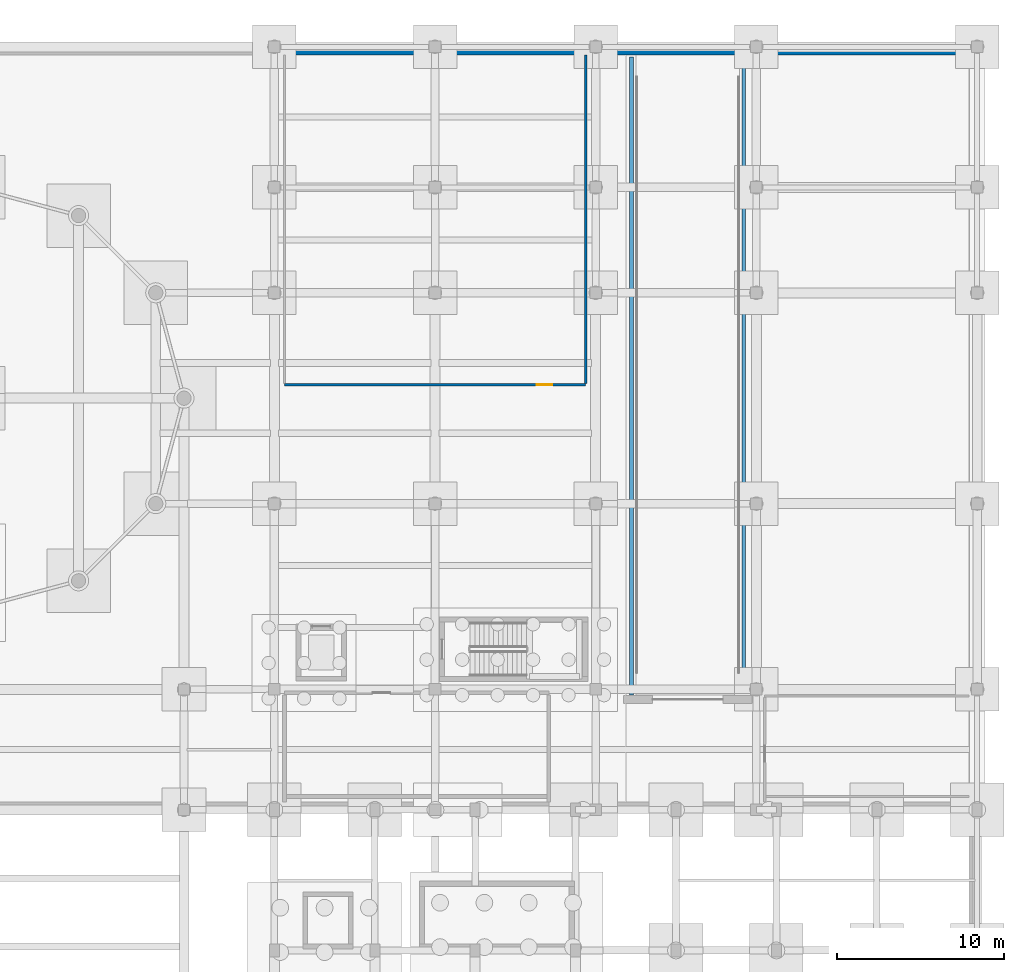
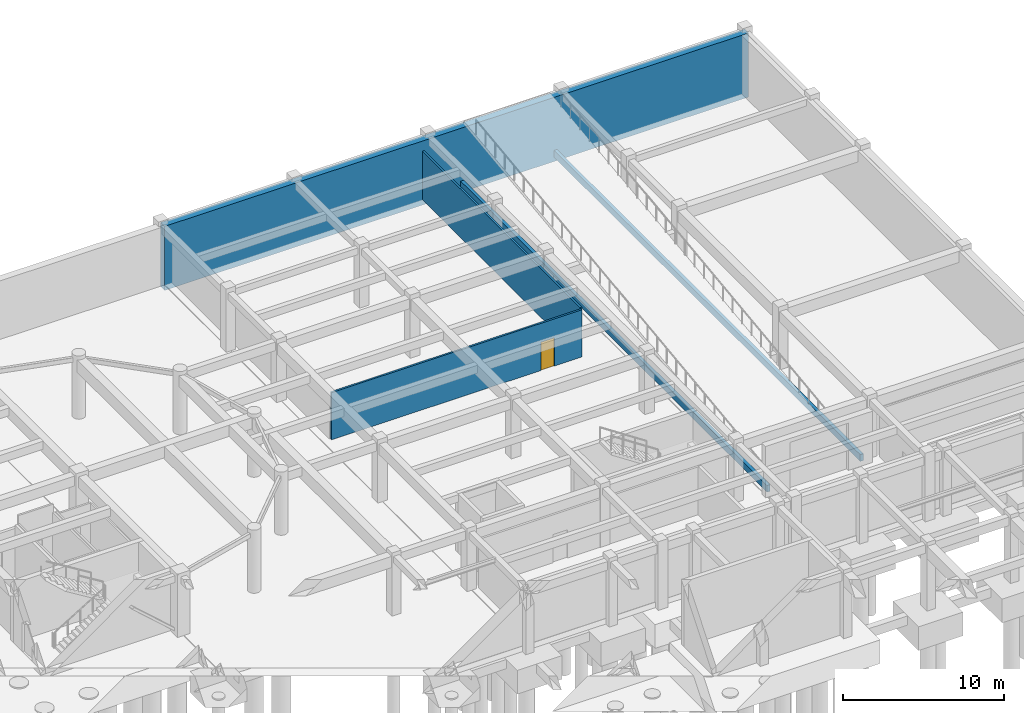
# One storey, part 28 of 37: 5 walls, 1 door, 1 opening.
"""IFC4 building model written with IfcOpenShell, lengths in metres."""

from ifc_helpers import new_model, si_unit, direction, frame, frame_2d, origin, place, context, subcontext, project, spatial, rectangle, extrude, material, layer, layer_set, type_object, element, fill, save


model = new_model("IFC4")

# Units and contexts
model_context = context("Model", 3, precision=1e-05, world=origin(), true_north=direction((0.0, 1.0)))
body_context = subcontext(model_context, "Body", "Model", "MODEL_VIEW")
ifc_project = project(units=[si_unit("LENGTHUNIT", "METRE"), si_unit("AREAUNIT", "SQUARE_METRE"), si_unit("VOLUMEUNIT", "CUBIC_METRE"), si_unit("PLANEANGLEUNIT", "RADIAN"), si_unit("MASSUNIT", "GRAM", prefix="KILO")], contexts=[model_context])

# Site, building, storey
site_placement = place(None, origin())
site = spatial("IfcSite", under=ifc_project, at=site_placement, CompositionType="ELEMENT")
building_placement = place(site_placement, origin())
building = spatial("IfcBuilding", under=site, at=building_placement, Name="Tarnavel Promenade Courthouse", CompositionType="ELEMENT")
storey_placement = place(building_placement, frame((0.0, 0.0, -4.800048828125)))
storey = spatial("IfcBuildingStorey", under=building, at=storey_placement, Name="B01", CompositionType="ELEMENT", Elevation=-4.800048828125)

# Walls
ifc_material_1 = material(Name="Concrete C35/45", Category="concrete")
ifc_layer_1 = layer(ifc_material_1, 0.5)
ifc_layer_set_1 = layer_set([ifc_layer_1], Name="Concrete C35/45")
wall_type_1 = type_object("IfcWallType", Name="Concrete C35/45 WL-RET-500 (500 mm)", PredefinedType="SOLIDWALL", material=ifc_layer_set_1)
wall_1_placement = place(storey_placement, frame((120.0, 112.550048828125, -0.419921875), z_axis=(0.0, 0.0, 1.0), x_axis=(1.0, 0.0, 0.0)))
element("IfcWall", 1, at=wall_1_placement, inside=storey, type_object=wall_type_1, Name="B01 North Perimeter Retaining Wall 0005", PredefinedType="SOLIDWALL", context=body_context, shape_type="SweptSolid", body=[
    extrude(rectangle(XDim=42.0, YDim=0.5, at=frame_2d((21.0, 0.0))), origin(), (0.0, 0.0, 1.0), 4.869873046875),
])
ifc_material_2 = material(Name="Concrete Masonry Fire Compartment Wall", Category="masonry")
ifc_layer_2 = layer(ifc_material_2, 0.22998046875)
ifc_layer_set_2 = layer_set([ifc_layer_2], Name="Concrete Masonry Fire Compartment Wall")
wall_type_2 = type_object("IfcWallType", Name="Concrete Masonry Fire Compartment Wall WL-CMP-230 (230 mm)", PredefinedType="STANDARD", material=ifc_layer_set_2)
for number, where, z_axis, x_axis, name in (
    (2, (141.35009765625, 74.050048828125, 0.0), (0.0, 0.0, 1.0), (0.0, 1.0, 0.0), "B01 Vehicle Ramp West Fire Wall"),
    (3, (148.050048828125, 112.199951171875, 0.0), (0.0, 0.0, 1.0), (0.0, -1.0, 0.0), "B01 Vehicle Ramp East Fire Wall"),
):
    element("IfcWall", number, at=place(storey_placement, frame(where, z_axis=z_axis, x_axis=x_axis)), inside=storey, type_object=wall_type_2, Name=name, PredefinedType="STANDARD", context=body_context, shape_type="SweptSolid", body=[
        extrude(rectangle(XDim=38.14990234375, YDim=0.22998046875, at=frame_2d((19.074951171875, 0.0))), origin(), (0.0, 0.0, 1.0), 0.51123046875),
    ])

# Wall, opening, door
ifc_material_3 = material(Name="Metal-Stud Acoustic Gypsum Partition", Category="gypsum")
ifc_layer_3 = layer(ifc_material_3, 0.135009765625)
ifc_layer_set_3 = layer_set([ifc_layer_3], Name="Metal-Stud Acoustic Gypsum Partition")
wall_type_3 = type_object("IfcWallType", Name="Metal-Stud Acoustic Gypsum Partition WL-OFF-135 (135 mm)", PredefinedType="PARTITIONING", material=ifc_layer_set_3)
wall_2_placement = place(storey_placement, frame((138.60009765625, 92.60009765625, 0.0), z_axis=(0.0, 0.0, 1.0), x_axis=(-1.0, 0.0, 0.0)))
wall_2 = element("IfcWall", 4, at=wall_2_placement, inside=storey, type_object=wall_type_3, Name="B01 Judicial Car Park East Loop Bays Partition 0077", PredefinedType="PARTITIONING", context=body_context, shape_type="SweptSolid", body=[
    extrude(rectangle(XDim=18.0, YDim=0.135009765625, at=frame_2d((9.0, 0.0))), origin(), (0.0, 0.0, 1.0), 3.590087890625),
])
opening_placement = place(wall_2_placement, frame((1.985107421875, 0.0, 0.0)))
opening = element("IfcOpeningElement", 5, at=opening_placement, cuts=wall_2, Name="Opening ID-06", PredefinedType="OPENING", context=body_context, shape_type="SweptSolid", body=[
    extrude(rectangle(XDim=0.949951171875, YDim=2.14990234375, at=frame_2d((0.47509765625, 1.074951171875))), frame((0.0, 0.077392578125, 0.0), z_axis=(0.0, -1.0, 0.0), x_axis=(1.0, 0.0, 0.0)), (0.0, 0.0, 1.0), 0.155029296875),
])
ifc_material_4 = material(Name="Acoustic Timber Veneer Office Door", Category="wood")
door_type = type_object("IfcDoorType", Name="Acoustic Timber Veneer Office Door (DR-OFF-0950x2150)", OperationType="NOTDEFINED", PredefinedType="DOOR", material=ifc_material_4)
door_placement = place(opening_placement, origin())
door = element("IfcDoor", 6, at=door_placement, inside=storey, type_object=door_type, Name="B01 Judicial Car Park East Loop Bays Door 0022", OperationType="SINGLE_SWING_RIGHT", OverallHeight=2.14990234375, OverallWidth=0.949951171875, PredefinedType="DOOR", context=body_context, shape_type="SweptSolid", body=[
    extrude(rectangle(XDim=0.949951171875, YDim=2.14990234375, at=frame_2d((0.47509765625, 1.074951171875))), frame((0.0, 0.02490234375, 0.0), z_axis=(0.0, -1.0, 0.0), x_axis=(1.0, 0.0, 0.0)), (0.0, 0.0, 1.0), 0.050048828125),
])
fill(opening, door)

# Wall
wall_3_placement = place(storey_placement, frame((138.60009765625, 112.305908203125, 0.0), z_axis=(0.0, 0.0, 1.0), x_axis=(0.0, -1.0, 0.0)))
element("IfcWall", 7, at=wall_3_placement, inside=storey, type_object=wall_type_3, Name="B01 Judicial Car Park East Loop Bays Partition 0079", PredefinedType="PARTITIONING", context=body_context, shape_type="SweptSolid", body=[
    extrude(rectangle(XDim=19.62841796875, YDim=0.135009765625, at=frame_2d((9.814208984375, 0.0))), origin(), (0.0, 0.0, 1.0), 3.68994140625),
])

save(model, "model.ifc")
